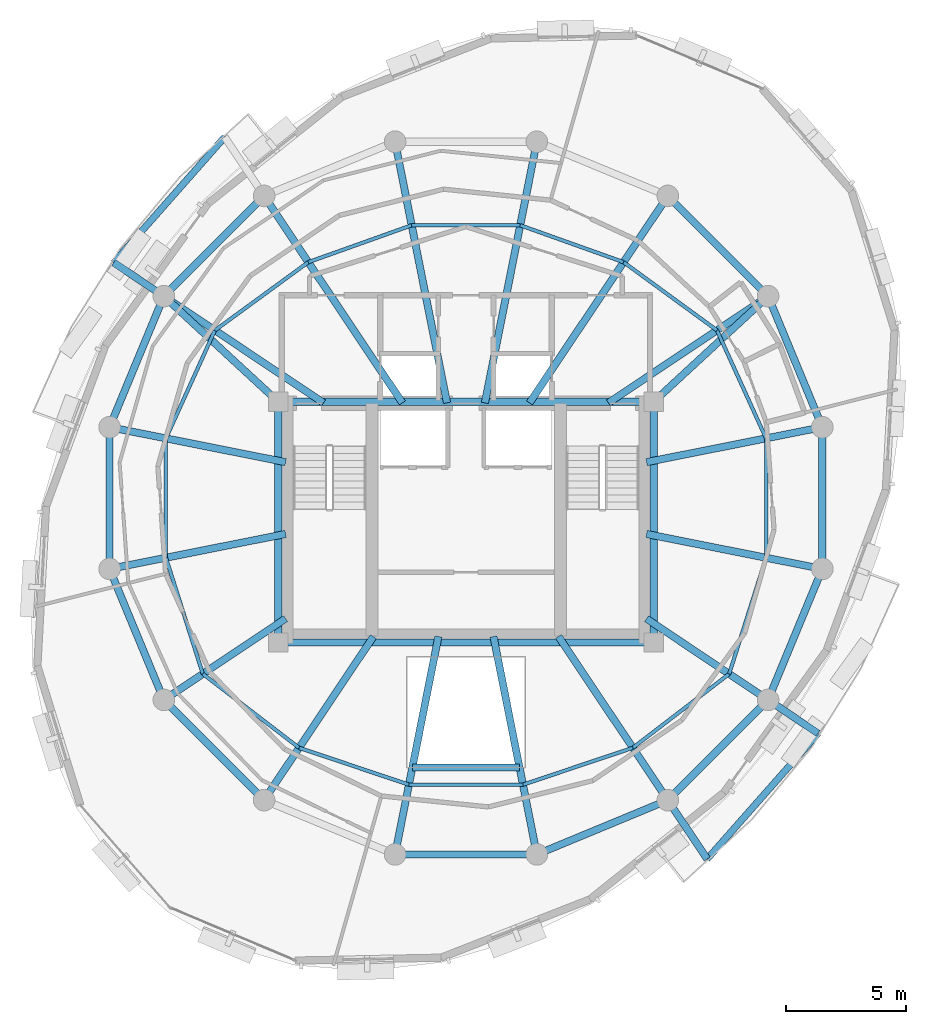
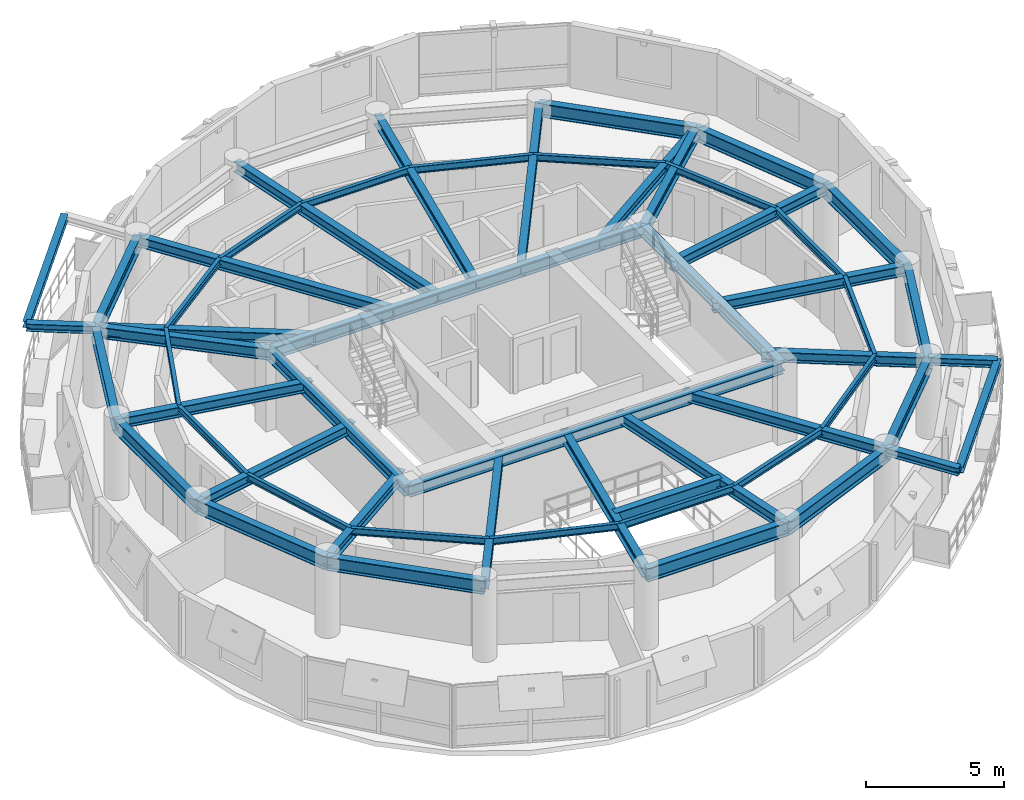
# One storey, part 3 of 11: 56 beams.
"""IFC4 building model written with IfcOpenShell, lengths in metres."""

from ifc_helpers import new_model, si_unit, direction, frame, origin, origin_2d, place, context, subcontext, project, spatial, i_section, extrude, material, material_profile, profile_set, type_object, element, save


model = new_model("IFC4")

# Units and contexts
model_context = context("Model", 3, precision=1e-05, world=origin(), true_north=direction((0.0, 1.0)))
body_context = subcontext(model_context, "Body", "Model", "MODEL_VIEW")
ifc_project = project(units=[si_unit("LENGTHUNIT", "METRE"), si_unit("AREAUNIT", "SQUARE_METRE"), si_unit("VOLUMEUNIT", "CUBIC_METRE"), si_unit("PLANEANGLEUNIT", "RADIAN"), si_unit("MASSUNIT", "GRAM", prefix="KILO"), si_unit("THERMODYNAMICTEMPERATUREUNIT", "KELVIN"), si_unit("POWERUNIT", "WATT")], contexts=[model_context])

# Site, building, storey
site_placement = place(None, origin())
site = spatial("IfcSite", under=ifc_project, at=site_placement, CompositionType="ELEMENT")
building_placement = place(site_placement, origin())
building = spatial("IfcBuilding", under=site, at=building_placement, Name="Ocrelia Relay Tower", CompositionType="ELEMENT")
storey_placement = place(building_placement, frame((0.0, 0.0, 255.60009765625)))
storey = spatial("IfcBuildingStorey", under=building, at=storey_placement, Name="L63", CompositionType="ELEMENT", Elevation=255.60009765625)

# Beams
ifc_material = material(Name="Steel S355", Category="steel")
ifc_material_profile_1 = material_profile(ifc_material, i_section(OverallWidth=0.280029296875, OverallDepth=0.27001953125, WebThickness=0.008056640625, FlangeThickness=0.012939453125, FilletRadius=0.02392578125, at=origin_2d()), Name="HEA 280")
ifc_profile_set_1 = profile_set([ifc_material_profile_1], Name="Steel S355")
beam_type_1 = type_object("IfcBeamType", Name="BM-HEA280", PredefinedType="BEAM", material=ifc_profile_set_1)
for number, where, z_axis, x_axis, name in (
    (1, (23.974853515625, 41.003662109375, 3.244873046875), (-0.661765322206, -0.749711049889, 0.0), (0.749711049889, -0.661765322206, 0.0), "L64 Balcony Edge Trimmer Beam B1"),
    (2, (44.025146484375, 10.996337890625, 3.244873046875), (0.661765322206, 0.749711049889, 0.0), (-0.749711049889, 0.661765322206, 0.0), "L64 Balcony Edge Trimmer Beam B2"),
):
    element("IfcBeam", number, at=place(storey_placement, frame(where, z_axis=z_axis, x_axis=x_axis)), inside=storey, type_object=beam_type_1, Name=name, PredefinedType="BEAM", context=body_context, shape_type="SweptSolid", body=[
        extrude(i_section(OverallWidth=0.280029296875, OverallDepth=0.27001953125, WebThickness=0.008056640625, FlangeThickness=0.012939453125, FilletRadius=0.02392578125, at=origin_2d()), origin(), (0.0, 0.0, 1.0), 6.9677734375),
    ])
ifc_material_profile_2 = material_profile(ifc_material, i_section(OverallWidth=0.300048828125, OverallDepth=0.330078125, WebThickness=0.009521484375, FlangeThickness=0.0166015625, FilletRadius=0.027099609375, at=origin_2d()), Name="HEA 340")
ifc_profile_set_2 = profile_set([ifc_material_profile_2], Name="Steel S355")
beam_type_2 = type_object("IfcBeamType", Name="BM-HEA340", PredefinedType="BEAM", material=ifc_profile_set_2)
beam_1_placement = place(storey_placement, frame((21.44482421875, 34.38916015625, 3.21484375), z_axis=(-0.831449547594, 0.555600260804, 0.0), x_axis=(-0.555600260804, -0.831449547594, 0.0)))
element("IfcBeam", 3, at=beam_1_placement, inside=storey, type_object=beam_type_2, Name="L64 Balcony Cantilever Beam B1-2", PredefinedType="BEAM", context=body_context, shape_type="SweptSolid", body=[
    extrude(i_section(OverallWidth=0.300048828125, OverallDepth=0.330078125, WebThickness=0.009521484375, FlangeThickness=0.0166015625, FilletRadius=0.027099609375, at=origin_2d()), origin(), (0.0, 0.0, 1.0), 2.5029296875),
])
beam_2_placement = place(storey_placement, frame((42.38916015625, 13.44482421875, 3.21484375), z_axis=(0.555560858205, -0.831475876277, 0.0), x_axis=(0.831475876277, 0.555560858205, 0.0)))
element("IfcBeam", 4, at=beam_2_placement, inside=storey, type_object=beam_type_2, Name="L64 Balcony Cantilever Beam B2-1", PredefinedType="BEAM", context=body_context, shape_type="SweptSolid", body=[
    extrude(i_section(OverallWidth=0.300048828125, OverallDepth=0.330078125, WebThickness=0.009521484375, FlangeThickness=0.0166015625, FilletRadius=0.027099609375, at=origin_2d()), origin(), (0.0, 0.0, 1.0), 2.94482421875),
])
beam_3_placement = place(storey_placement, frame((46.55517578125, 17.61083984375, 3.21484375), z_axis=(0.831449547594, -0.555600260804, 0.0), x_axis=(0.555600260804, 0.831449547594, 0.0)))
element("IfcBeam", 5, at=beam_3_placement, inside=storey, type_object=beam_type_2, Name="L64 Balcony Cantilever Beam B2-2", PredefinedType="BEAM", context=body_context, shape_type="SweptSolid", body=[
    extrude(i_section(OverallWidth=0.300048828125, OverallDepth=0.330078125, WebThickness=0.009521484375, FlangeThickness=0.0166015625, FilletRadius=0.027099609375, at=origin_2d()), origin(), (0.0, 0.0, 1.0), 2.5029296875),
])
ifc_material_profile_3 = material_profile(ifc_material, i_section(OverallWidth=0.300048828125, OverallDepth=0.449951171875, WebThickness=0.013916015625, FlangeThickness=0.02587890625, FilletRadius=0.027099609375, at=origin_2d()), Name="HEB 450")
ifc_profile_set_3 = profile_set([ifc_material_profile_3], Name="Steel S355")
beam_type_3 = type_object("IfcBeamType", Name="BM-HEB450", PredefinedType="BEAM", material=ifc_profile_set_3)
beam_4_placement = place(storey_placement, frame((48.809814453125, 28.94580078125, 3.15478515625), z_axis=(-0.980789400571, -0.195069607393, 0.0), x_axis=(0.195069607393, -0.980789400571, 0.0)))
element("IfcBeam", 6, at=beam_4_placement, inside=storey, type_object=beam_type_3, Name="L63 Radial Floor Girder R01", PredefinedType="BEAM", context=body_context, shape_type="SweptSolid", body=[
    extrude(i_section(OverallWidth=0.300048828125, OverallDepth=0.449951171875, WebThickness=0.013916015625, FlangeThickness=0.02587890625, FilletRadius=0.027099609375, at=origin_2d()), origin(), (0.0, 0.0, 1.0), 7.447998046875),
])
beam_5_placement = place(storey_placement, frame((46.55517578125, 34.38916015625, 3.15478515625), z_axis=(-0.83146627118, -0.555575233331, 0.0), x_axis=(0.555575233331, -0.83146627118, 0.0)))
element("IfcBeam", 7, at=beam_5_placement, inside=storey, type_object=beam_type_3, Name="L63 Radial Floor Girder R02", PredefinedType="BEAM", context=body_context, shape_type="SweptSolid", body=[
    extrude(i_section(OverallWidth=0.300048828125, OverallDepth=0.449951171875, WebThickness=0.013916015625, FlangeThickness=0.02587890625, FilletRadius=0.027099609375, at=origin_2d()), origin(), (0.0, 0.0, 1.0), 7.98095703125),
])
beam_6_placement = place(storey_placement, frame((42.38916015625, 38.55517578125, 3.15478515625), z_axis=(-0.555582296999, -0.831461551283, 0.0), x_axis=(0.831461551283, -0.555582296999, 0.0)))
element("IfcBeam", 8, at=beam_6_placement, inside=storey, type_object=beam_type_3, Name="L63 Radial Floor Girder R03", PredefinedType="BEAM", context=body_context, shape_type="SweptSolid", body=[
    extrude(i_section(OverallWidth=0.300048828125, OverallDepth=0.449951171875, WebThickness=0.013916015625, FlangeThickness=0.02587890625, FilletRadius=0.027099609375, at=origin_2d()), origin(), (0.0, 0.0, 1.0), 10.34326171875),
])
for number, where, z_axis, x_axis, name in (
    (9, (36.94580078125, 40.809814453125, 3.15478515625), (-0.195093658495, -0.98078461673, 0.0), (0.98078461673, -0.195093658495, 0.0), "L63 Radial Floor Girder R04"),
    (10, (31.05419921875, 40.809814453125, 3.15478515625), (0.195093658495, -0.98078461673, 0.0), (0.98078461673, 0.195093658495, 0.0), "L63 Radial Floor Girder R05"),
):
    element("IfcBeam", number, at=place(storey_placement, frame(where, z_axis=z_axis, x_axis=x_axis)), inside=storey, type_object=beam_type_3, Name=name, PredefinedType="BEAM", context=body_context, shape_type="SweptSolid", body=[
        extrude(i_section(OverallWidth=0.300048828125, OverallDepth=0.449951171875, WebThickness=0.013916015625, FlangeThickness=0.02587890625, FilletRadius=0.027099609375, at=origin_2d()), origin(), (0.0, 0.0, 1.0), 11.0673828125),
    ])
beam_7_placement = place(storey_placement, frame((25.61083984375, 38.55517578125, 3.15478515625), z_axis=(0.555582296999, -0.831461551283, 0.0), x_axis=(0.831461551283, 0.555582296999, 0.0)))
element("IfcBeam", 11, at=beam_7_placement, inside=storey, type_object=beam_type_3, Name="L63 Radial Floor Girder R06", PredefinedType="BEAM", context=body_context, shape_type="SweptSolid", body=[
    extrude(i_section(OverallWidth=0.300048828125, OverallDepth=0.449951171875, WebThickness=0.013916015625, FlangeThickness=0.02587890625, FilletRadius=0.027099609375, at=origin_2d()), origin(), (0.0, 0.0, 1.0), 10.34326171875),
])
beam_8_placement = place(storey_placement, frame((21.44482421875, 34.38916015625, 3.15478515625), z_axis=(0.83146627118, -0.555575233331, 0.0), x_axis=(0.555575233331, 0.83146627118, 0.0)))
element("IfcBeam", 12, at=beam_8_placement, inside=storey, type_object=beam_type_3, Name="L63 Radial Floor Girder R07", PredefinedType="BEAM", context=body_context, shape_type="SweptSolid", body=[
    extrude(i_section(OverallWidth=0.300048828125, OverallDepth=0.449951171875, WebThickness=0.013916015625, FlangeThickness=0.02587890625, FilletRadius=0.027099609375, at=origin_2d()), origin(), (0.0, 0.0, 1.0), 7.98095703125),
])
for number, where, z_axis, x_axis, name in (
    (13, (19.190185546875, 28.94580078125, 3.15478515625), (0.980789122594, -0.195071005024, 0.0), (0.195071005024, 0.980789122594, 0.0), "L63 Radial Floor Girder R08"),
    (14, (19.190185546875, 23.05419921875, 3.15478515625), (0.980789122594, 0.195071005024, 0.0), (-0.195071005024, 0.980789122594, 0.0), "L63 Radial Floor Girder R09"),
):
    element("IfcBeam", number, at=place(storey_placement, frame(where, z_axis=z_axis, x_axis=x_axis)), inside=storey, type_object=beam_type_3, Name=name, PredefinedType="BEAM", context=body_context, shape_type="SweptSolid", body=[
        extrude(i_section(OverallWidth=0.300048828125, OverallDepth=0.449951171875, WebThickness=0.013916015625, FlangeThickness=0.02587890625, FilletRadius=0.027099609375, at=origin_2d()), origin(), (0.0, 0.0, 1.0), 7.4580078125),
    ])
beam_9_placement = place(storey_placement, frame((21.44482421875, 17.61083984375, 3.15478515625), z_axis=(0.831463505153, 0.555579372906, 0.0), x_axis=(-0.555579372906, 0.831463505153, 0.0)))
element("IfcBeam", 15, at=beam_9_placement, inside=storey, type_object=beam_type_3, Name="L63 Radial Floor Girder R10", PredefinedType="BEAM", context=body_context, shape_type="SweptSolid", body=[
    extrude(i_section(OverallWidth=0.300048828125, OverallDepth=0.449951171875, WebThickness=0.013916015625, FlangeThickness=0.02587890625, FilletRadius=0.027099609375, at=origin_2d()), origin(), (0.0, 0.0, 1.0), 6.085693359375),
])
beam_10_placement = place(storey_placement, frame((25.61083984375, 13.44482421875, 3.15478515625), z_axis=(0.555560991962, 0.831475786906, 0.0), x_axis=(-0.831475786906, 0.555560991962, 0.0)))
element("IfcBeam", 16, at=beam_10_placement, inside=storey, type_object=beam_type_3, Name="L63 Radial Floor Girder R11", PredefinedType="BEAM", context=body_context, shape_type="SweptSolid", body=[
    extrude(i_section(OverallWidth=0.300048828125, OverallDepth=0.449951171875, WebThickness=0.013916015625, FlangeThickness=0.02587890625, FilletRadius=0.027099609375, at=origin_2d()), origin(), (0.0, 0.0, 1.0), 8.178466796875),
])
for number, where, z_axis, x_axis, name in (
    (17, (31.05419921875, 11.190185546875, 3.15478515625), (0.195078600472, 0.98078761189, 0.0), (-0.98078761189, 0.195078600472, 0.0), "L63 Radial Floor Girder R12"),
    (18, (36.94580078125, 11.190185546875, 3.15478515625), (-0.195078600472, 0.98078761189, 0.0), (-0.98078761189, -0.195078600472, 0.0), "L63 Radial Floor Girder R13"),
):
    element("IfcBeam", number, at=place(storey_placement, frame(where, z_axis=z_axis, x_axis=x_axis)), inside=storey, type_object=beam_type_3, Name=name, PredefinedType="BEAM", context=body_context, shape_type="SweptSolid", body=[
        extrude(i_section(OverallWidth=0.300048828125, OverallDepth=0.449951171875, WebThickness=0.013916015625, FlangeThickness=0.02587890625, FilletRadius=0.027099609375, at=origin_2d()), origin(), (0.0, 0.0, 1.0), 9.232421875),
    ])
beam_11_placement = place(storey_placement, frame((42.38916015625, 13.44482421875, 3.15478515625), z_axis=(-0.555560991962, 0.831475786906, 0.0), x_axis=(-0.831475786906, -0.555560991962, 0.0)))
element("IfcBeam", 19, at=beam_11_placement, inside=storey, type_object=beam_type_3, Name="L63 Radial Floor Girder R14", PredefinedType="BEAM", context=body_context, shape_type="SweptSolid", body=[
    extrude(i_section(OverallWidth=0.300048828125, OverallDepth=0.449951171875, WebThickness=0.013916015625, FlangeThickness=0.02587890625, FilletRadius=0.027099609375, at=origin_2d()), origin(), (0.0, 0.0, 1.0), 8.178466796875),
])
beam_12_placement = place(storey_placement, frame((46.55517578125, 17.61083984375, 3.15478515625), z_axis=(-0.831468559595, 0.555571808504, 0.0), x_axis=(-0.555571808504, -0.831468559595, 0.0)))
element("IfcBeam", 20, at=beam_12_placement, inside=storey, type_object=beam_type_3, Name="L63 Radial Floor Girder R15", PredefinedType="BEAM", context=body_context, shape_type="SweptSolid", body=[
    extrude(i_section(OverallWidth=0.300048828125, OverallDepth=0.449951171875, WebThickness=0.013916015625, FlangeThickness=0.02587890625, FilletRadius=0.027099609375, at=origin_2d()), origin(), (0.0, 0.0, 1.0), 6.073974609375),
])
beam_13_placement = place(storey_placement, frame((48.809814453125, 23.05419921875, 3.15478515625), z_axis=(-0.980789400571, 0.195069607393, 0.0), x_axis=(-0.195069607393, -0.980789400571, 0.0)))
element("IfcBeam", 21, at=beam_13_placement, inside=storey, type_object=beam_type_3, Name="L63 Radial Floor Girder R16", PredefinedType="BEAM", context=body_context, shape_type="SweptSolid", body=[
    extrude(i_section(OverallWidth=0.300048828125, OverallDepth=0.449951171875, WebThickness=0.013916015625, FlangeThickness=0.02587890625, FilletRadius=0.027099609375, at=origin_2d()), origin(), (0.0, 0.0, 1.0), 7.447998046875),
])
ifc_material_profile_4 = material_profile(ifc_material, i_section(OverallWidth=0.300048828125, OverallDepth=0.5, WebThickness=0.014404296875, FlangeThickness=0.028076171875, FilletRadius=0.027099609375, at=origin_2d()), Name="HEB 500")
ifc_profile_set_4 = profile_set([ifc_material_profile_4], Name="Steel S355")
beam_type_4 = type_object("IfcBeamType", Name="BM-HEB500", PredefinedType="BEAM", material=ifc_profile_set_4)
for number, where, z_axis, x_axis, name in (
    (22, (26.199951171875, 20.0, 3.1298828125), (1.0, 0.0, 0.0), (0.0, 1.0, 0.0), "L63 Core Pilaster Tie Beam S"),
    (23, (26.199951171875, 30.0, 3.1298828125), (1.0, 0.0, 0.0), (0.0, 1.0, 0.0), "L63 Core Pilaster Tie Beam N"),
):
    element("IfcBeam", number, at=place(storey_placement, frame(where, z_axis=z_axis, x_axis=x_axis)), inside=storey, type_object=beam_type_4, Name=name, PredefinedType="BEAM", context=body_context, shape_type="SweptSolid", body=[
        extrude(i_section(OverallWidth=0.300048828125, OverallDepth=0.5, WebThickness=0.014404296875, FlangeThickness=0.028076171875, FilletRadius=0.027099609375, at=origin_2d()), origin(), (0.0, 0.0, 1.0), 15.60009765625),
    ])
for number, where, z_axis, x_axis, name in (
    (24, (26.199951171875, 20.0, 3.1298828125), (0.0, 1.0, 0.0), (-1.0, 0.0, 0.0), "L63 Core Pilaster Tie Beam W"),
    (25, (41.800048828125, 20.0, 3.1298828125), (0.0, 1.0, 0.0), (-1.0, 0.0, 0.0), "L63 Core Pilaster Tie Beam E"),
):
    element("IfcBeam", number, at=place(storey_placement, frame(where, z_axis=z_axis, x_axis=x_axis)), inside=storey, type_object=beam_type_4, Name=name, PredefinedType="BEAM", context=body_context, shape_type="SweptSolid", body=[
        extrude(i_section(OverallWidth=0.300048828125, OverallDepth=0.5, WebThickness=0.014404296875, FlangeThickness=0.028076171875, FilletRadius=0.027099609375, at=origin_2d()), origin(), (0.0, 0.0, 1.0), 10.0),
    ])
for number, where, z_axis, x_axis, name in (
    (26, (46.55517578125, 34.38916015625, 3.1298828125), (-0.734817908666, -0.678264433023, 0.0), (0.678264433023, -0.734817908666, 0.0), "L63 Core Pilaster Frame Tie Beam PT02"),
    (27, (21.44482421875, 34.38916015625, 3.1298828125), (0.734817908666, -0.678264433023, 0.0), (0.678264433023, 0.734817908666, 0.0), "L63 Core Pilaster Frame Tie Beam PT07"),
):
    element("IfcBeam", number, at=place(storey_placement, frame(where, z_axis=z_axis, x_axis=x_axis)), inside=storey, type_object=beam_type_4, Name=name, PredefinedType="BEAM", context=body_context, shape_type="SweptSolid", body=[
        extrude(i_section(OverallWidth=0.300048828125, OverallDepth=0.5, WebThickness=0.014404296875, FlangeThickness=0.028076171875, FilletRadius=0.027099609375, at=origin_2d()), origin(), (0.0, 0.0, 1.0), 6.47119140625),
    ])
ifc_material_profile_5 = material_profile(ifc_material, i_section(OverallWidth=0.300048828125, OverallDepth=0.550048828125, WebThickness=0.014892578125, FlangeThickness=0.029052734375, FilletRadius=0.027099609375, at=origin_2d()), Name="HEB 550")
ifc_profile_set_5 = profile_set([ifc_material_profile_5], Name="Steel S355")
beam_type_5 = type_object("IfcBeamType", Name="BM-HEB550", PredefinedType="BEAM", material=ifc_profile_set_5)
beam_14_placement = place(storey_placement, frame((31.772216796875, 14.800048828125, 3.10498046875), z_axis=(1.0, 0.0, 0.0), x_axis=(0.0, 1.0, 0.0)))
element("IfcBeam", 28, at=beam_14_placement, inside=storey, type_object=beam_type_5, Name="L63 Atrium South Trimmer Beam", PredefinedType="BEAM", context=body_context, shape_type="SweptSolid", body=[
    extrude(i_section(OverallWidth=0.300048828125, OverallDepth=0.550048828125, WebThickness=0.014892578125, FlangeThickness=0.029052734375, FilletRadius=0.027099609375, at=origin_2d()), origin(), (0.0, 0.0, 1.0), 4.45556640625),
])
ifc_material_profile_6 = material_profile(ifc_material, i_section(OverallWidth=0.300048828125, OverallDepth=0.60009765625, WebThickness=0.015380859375, FlangeThickness=0.030029296875, FilletRadius=0.027099609375, at=origin_2d()), Name="HEB 600")
ifc_profile_set_6 = profile_set([ifc_material_profile_6], Name="Steel S355")
beam_type_6 = type_object("IfcBeamType", Name="BM-HEB600", PredefinedType="BEAM", material=ifc_profile_set_6)
beam_15_placement = place(storey_placement, frame((48.809814453125, 28.94580078125, 3.079833984375), z_axis=(-0.382672624084, 0.923884009374, 0.0), x_axis=(-0.923884009374, -0.382672624084, 0.0)))
element("IfcBeam", 29, at=beam_15_placement, inside=storey, type_object=beam_type_6, Name="L63 Perimeter Spandrel Beam S01", PredefinedType="BEAM", context=body_context, shape_type="SweptSolid", body=[
    extrude(i_section(OverallWidth=0.300048828125, OverallDepth=0.60009765625, WebThickness=0.015380859375, FlangeThickness=0.030029296875, FilletRadius=0.027099609375, at=origin_2d()), origin(), (0.0, 0.0, 1.0), 5.891845703125),
])
for number, where, z_axis, x_axis, name in (
    (30, (46.55517578125, 34.38916015625, 3.079833984375), (-0.707106781187, 0.707106781187, 0.0), (-0.707106781187, -0.707106781187, 0.0), "L63 Perimeter Spandrel Beam S02"),
    (31, (25.61083984375, 38.55517578125, 3.079833984375), (-0.707106781187, -0.707106781187, 0.0), (0.707106781187, -0.707106781187, 0.0), "L63 Perimeter Spandrel Beam S06"),
):
    element("IfcBeam", number, at=place(storey_placement, frame(where, z_axis=z_axis, x_axis=x_axis)), inside=storey, type_object=beam_type_6, Name=name, PredefinedType="BEAM", context=body_context, shape_type="SweptSolid", body=[
        extrude(i_section(OverallWidth=0.300048828125, OverallDepth=0.60009765625, WebThickness=0.015380859375, FlangeThickness=0.030029296875, FilletRadius=0.027099609375, at=origin_2d()), origin(), (0.0, 0.0, 1.0), 5.8916015625),
    ])
beam_16_placement = place(storey_placement, frame((21.44482421875, 34.38916015625, 3.079833984375), z_axis=(-0.382672624084, -0.923884009374, 0.0), x_axis=(0.923884009374, -0.382672624084, 0.0)))
element("IfcBeam", 32, at=beam_16_placement, inside=storey, type_object=beam_type_6, Name="L63 Perimeter Spandrel Beam S07", PredefinedType="BEAM", context=body_context, shape_type="SweptSolid", body=[
    extrude(i_section(OverallWidth=0.300048828125, OverallDepth=0.60009765625, WebThickness=0.015380859375, FlangeThickness=0.030029296875, FilletRadius=0.027099609375, at=origin_2d()), origin(), (0.0, 0.0, 1.0), 5.891845703125),
])
beam_17_placement = place(storey_placement, frame((19.190185546875, 28.94580078125, 3.079833984375), z_axis=(0.0, -1.0, 0.0), x_axis=(1.0, 0.0, 0.0)))
element("IfcBeam", 33, at=beam_17_placement, inside=storey, type_object=beam_type_6, Name="L63 Perimeter Spandrel Beam S08", PredefinedType="BEAM", context=body_context, shape_type="SweptSolid", body=[
    extrude(i_section(OverallWidth=0.300048828125, OverallDepth=0.60009765625, WebThickness=0.015380859375, FlangeThickness=0.030029296875, FilletRadius=0.027099609375, at=origin_2d()), origin(), (0.0, 0.0, 1.0), 5.8916015625),
])
beam_18_placement = place(storey_placement, frame((19.190185546875, 23.05419921875, 3.079833984375), z_axis=(0.382672624084, -0.923884009374, 0.0), x_axis=(0.923884009374, 0.382672624084, 0.0)))
element("IfcBeam", 34, at=beam_18_placement, inside=storey, type_object=beam_type_6, Name="L63 Perimeter Spandrel Beam S09", PredefinedType="BEAM", context=body_context, shape_type="SweptSolid", body=[
    extrude(i_section(OverallWidth=0.300048828125, OverallDepth=0.60009765625, WebThickness=0.015380859375, FlangeThickness=0.030029296875, FilletRadius=0.027099609375, at=origin_2d()), origin(), (0.0, 0.0, 1.0), 5.891845703125),
])
for number, where, z_axis, x_axis, name in (
    (35, (21.44482421875, 17.61083984375, 3.079833984375), (0.707106781187, -0.707106781187, 0.0), (0.707106781187, 0.707106781187, 0.0), "L63 Perimeter Spandrel Beam S10"),
    (36, (31.05419921875, 11.190185546875, 3.079833984375), (1.0, 0.0, 0.0), (0.0, 1.0, 0.0), "L63 Perimeter Spandrel Beam S12"),
):
    element("IfcBeam", number, at=place(storey_placement, frame(where, z_axis=z_axis, x_axis=x_axis)), inside=storey, type_object=beam_type_6, Name=name, PredefinedType="BEAM", context=body_context, shape_type="SweptSolid", body=[
        extrude(i_section(OverallWidth=0.300048828125, OverallDepth=0.60009765625, WebThickness=0.015380859375, FlangeThickness=0.030029296875, FilletRadius=0.027099609375, at=origin_2d()), origin(), (0.0, 0.0, 1.0), 5.8916015625),
    ])
beam_19_placement = place(storey_placement, frame((36.94580078125, 11.190185546875, 3.079833984375), z_axis=(0.923884009374, 0.382672624084, 0.0), x_axis=(-0.382672624084, 0.923884009374, 0.0)))
element("IfcBeam", 37, at=beam_19_placement, inside=storey, type_object=beam_type_6, Name="L63 Perimeter Spandrel Beam S13", PredefinedType="BEAM", context=body_context, shape_type="SweptSolid", body=[
    extrude(i_section(OverallWidth=0.300048828125, OverallDepth=0.60009765625, WebThickness=0.015380859375, FlangeThickness=0.030029296875, FilletRadius=0.027099609375, at=origin_2d()), origin(), (0.0, 0.0, 1.0), 5.891845703125),
])
beam_20_placement = place(storey_placement, frame((42.38916015625, 13.44482421875, 3.079833984375), z_axis=(0.707106781187, 0.707106781187, 0.0), x_axis=(-0.707106781187, 0.707106781187, 0.0)))
element("IfcBeam", 38, at=beam_20_placement, inside=storey, type_object=beam_type_6, Name="L63 Perimeter Spandrel Beam S14", PredefinedType="BEAM", context=body_context, shape_type="SweptSolid", body=[
    extrude(i_section(OverallWidth=0.300048828125, OverallDepth=0.60009765625, WebThickness=0.015380859375, FlangeThickness=0.030029296875, FilletRadius=0.027099609375, at=origin_2d()), origin(), (0.0, 0.0, 1.0), 5.8916015625),
])
beam_21_placement = place(storey_placement, frame((46.55517578125, 17.61083984375, 3.079833984375), z_axis=(0.382672624084, 0.923884009374, 0.0), x_axis=(-0.923884009374, 0.382672624084, 0.0)))
element("IfcBeam", 39, at=beam_21_placement, inside=storey, type_object=beam_type_6, Name="L63 Perimeter Spandrel Beam S15", PredefinedType="BEAM", context=body_context, shape_type="SweptSolid", body=[
    extrude(i_section(OverallWidth=0.300048828125, OverallDepth=0.60009765625, WebThickness=0.015380859375, FlangeThickness=0.030029296875, FilletRadius=0.027099609375, at=origin_2d()), origin(), (0.0, 0.0, 1.0), 5.891845703125),
])
beam_22_placement = place(storey_placement, frame((48.809814453125, 23.05419921875, 3.079833984375), z_axis=(0.0, 1.0, 0.0), x_axis=(-1.0, 0.0, 0.0)))
element("IfcBeam", 40, at=beam_22_placement, inside=storey, type_object=beam_type_6, Name="L63 Perimeter Spandrel Beam S16", PredefinedType="BEAM", context=body_context, shape_type="SweptSolid", body=[
    extrude(i_section(OverallWidth=0.300048828125, OverallDepth=0.60009765625, WebThickness=0.015380859375, FlangeThickness=0.030029296875, FilletRadius=0.027099609375, at=origin_2d()), origin(), (0.0, 0.0, 1.0), 5.8916015625),
])
ifc_material_profile_7 = material_profile(ifc_material, i_section(OverallWidth=0.14990234375, OverallDepth=0.300048828125, WebThickness=0.007080078125, FlangeThickness=0.0107421875, FilletRadius=0.014892578125, at=origin_2d()), Name="IPE 300")
ifc_profile_set_7 = profile_set([ifc_material_profile_7], Name="Steel S355")
beam_type_7 = type_object("IfcBeamType", Name="BM-IPE300", PredefinedType="JOIST", material=ifc_profile_set_7)
beam_23_placement = place(storey_placement, frame((46.472412109375, 28.48095703125, 3.22998046875), z_axis=(-0.413836514443, 0.91035121756, 0.0), x_axis=(-0.91035121756, -0.413836514443, 0.0)))
element("IfcBeam", 41, at=beam_23_placement, inside=storey, type_object=beam_type_7, Name="L63 Secondary Floor Joist J01", PredefinedType="JOIST", context=body_context, shape_type="SweptSolid", body=[
    extrude(i_section(OverallWidth=0.14990234375, OverallDepth=0.300048828125, WebThickness=0.007080078125, FlangeThickness=0.0107421875, FilletRadius=0.014892578125, at=origin_2d()), origin(), (0.0, 0.0, 1.0), 4.931396484375),
])
beam_24_placement = place(storey_placement, frame((44.431640625, 32.97021484375, 3.22998046875), z_axis=(-0.80774844416, 0.58952731146, 0.0), x_axis=(-0.58952731146, -0.80774844416, 0.0)))
element("IfcBeam", 42, at=beam_24_placement, inside=storey, type_object=beam_type_7, Name="L63 Secondary Floor Joist J02", PredefinedType="JOIST", context=body_context, shape_type="SweptSolid", body=[
    extrude(i_section(OverallWidth=0.14990234375, OverallDepth=0.300048828125, WebThickness=0.007080078125, FlangeThickness=0.0107421875, FilletRadius=0.014892578125, at=origin_2d()), origin(), (0.0, 0.0, 1.0), 4.80517578125),
])
beam_25_placement = place(storey_placement, frame((40.55029296875, 35.802978515625, 3.22998046875), z_axis=(-0.94180245035, 0.336166840298, 0.0), x_axis=(-0.336166840298, -0.94180245035, 0.0)))
element("IfcBeam", 43, at=beam_25_placement, inside=storey, type_object=beam_type_7, Name="L63 Secondary Floor Joist J03", PredefinedType="JOIST", context=body_context, shape_type="SweptSolid", body=[
    extrude(i_section(OverallWidth=0.14990234375, OverallDepth=0.300048828125, WebThickness=0.007080078125, FlangeThickness=0.0107421875, FilletRadius=0.014892578125, at=origin_2d()), origin(), (0.0, 0.0, 1.0), 4.560791015625),
])
beam_26_placement = place(storey_placement, frame((36.2548828125, 37.336181640625, 3.22998046875), z_axis=(-1.0, 0.0, 0.0), x_axis=(0.0, -1.0, 0.0)))
element("IfcBeam", 44, at=beam_26_placement, inside=storey, type_object=beam_type_7, Name="L63 Secondary Floor Joist J04", PredefinedType="JOIST", context=body_context, shape_type="SweptSolid", body=[
    extrude(i_section(OverallWidth=0.14990234375, OverallDepth=0.300048828125, WebThickness=0.007080078125, FlangeThickness=0.0107421875, FilletRadius=0.014892578125, at=origin_2d()), origin(), (0.0, 0.0, 1.0), 4.509765625),
])
beam_27_placement = place(storey_placement, frame((31.7451171875, 37.336181640625, 3.22998046875), z_axis=(-0.94180245035, -0.336166840298, 0.0), x_axis=(0.336166840298, -0.94180245035, 0.0)))
element("IfcBeam", 45, at=beam_27_placement, inside=storey, type_object=beam_type_7, Name="L63 Secondary Floor Joist J05", PredefinedType="JOIST", context=body_context, shape_type="SweptSolid", body=[
    extrude(i_section(OverallWidth=0.14990234375, OverallDepth=0.300048828125, WebThickness=0.007080078125, FlangeThickness=0.0107421875, FilletRadius=0.014892578125, at=origin_2d()), origin(), (0.0, 0.0, 1.0), 4.560791015625),
])
beam_28_placement = place(storey_placement, frame((27.44970703125, 35.802978515625, 3.22998046875), z_axis=(-0.80774844416, -0.58952731146, 0.0), x_axis=(0.58952731146, -0.80774844416, 0.0)))
element("IfcBeam", 46, at=beam_28_placement, inside=storey, type_object=beam_type_7, Name="L63 Secondary Floor Joist J06", PredefinedType="JOIST", context=body_context, shape_type="SweptSolid", body=[
    extrude(i_section(OverallWidth=0.14990234375, OverallDepth=0.300048828125, WebThickness=0.007080078125, FlangeThickness=0.0107421875, FilletRadius=0.014892578125, at=origin_2d()), origin(), (0.0, 0.0, 1.0), 4.80517578125),
])
beam_29_placement = place(storey_placement, frame((23.568359375, 32.97021484375, 3.22998046875), z_axis=(-0.413205957462, -0.910637599003, 0.0), x_axis=(0.910637599003, -0.413205957462, 0.0)))
element("IfcBeam", 47, at=beam_29_placement, inside=storey, type_object=beam_type_7, Name="L63 Secondary Floor Joist J07", PredefinedType="JOIST", context=body_context, shape_type="SweptSolid", body=[
    extrude(i_section(OverallWidth=0.14990234375, OverallDepth=0.300048828125, WebThickness=0.007080078125, FlangeThickness=0.0107421875, FilletRadius=0.014892578125, at=origin_2d()), origin(), (0.0, 0.0, 1.0), 4.9306640625),
])
beam_30_placement = place(storey_placement, frame((21.531005859375, 28.480224609375, 3.22998046875), z_axis=(0.0, -1.0, 0.0), x_axis=(1.0, 0.0, 0.0)))
element("IfcBeam", 48, at=beam_30_placement, inside=storey, type_object=beam_type_7, Name="L63 Secondary Floor Joist J08", PredefinedType="JOIST", context=body_context, shape_type="SweptSolid", body=[
    extrude(i_section(OverallWidth=0.14990234375, OverallDepth=0.300048828125, WebThickness=0.007080078125, FlangeThickness=0.0107421875, FilletRadius=0.014892578125, at=origin_2d()), origin(), (0.0, 0.0, 1.0), 4.96044921875),
])
beam_31_placement = place(storey_placement, frame((21.531005859375, 23.519775390625, 3.22998046875), z_axis=(0.302732054046, -0.953075707094, 0.0), x_axis=(0.953075707094, 0.302732054046, 0.0)))
element("IfcBeam", 49, at=beam_31_placement, inside=storey, type_object=beam_type_7, Name="L63 Secondary Floor Joist J09", PredefinedType="JOIST", context=body_context, shape_type="SweptSolid", body=[
    extrude(i_section(OverallWidth=0.14990234375, OverallDepth=0.300048828125, WebThickness=0.007080078125, FlangeThickness=0.0107421875, FilletRadius=0.014892578125, at=origin_2d()), origin(), (0.0, 0.0, 1.0), 5.064453125),
])
beam_32_placement = place(storey_placement, frame((23.064208984375, 18.69287109375, 3.22998046875), z_axis=(0.793147291367, -0.60902986314, 0.0), x_axis=(0.60902986314, 0.793147291367, 0.0)))
element("IfcBeam", 50, at=beam_32_placement, inside=storey, type_object=beam_type_7, Name="L63 Secondary Floor Joist J10", PredefinedType="JOIST", context=body_context, shape_type="SweptSolid", body=[
    extrude(i_section(OverallWidth=0.14990234375, OverallDepth=0.300048828125, WebThickness=0.007080078125, FlangeThickness=0.0107421875, FilletRadius=0.014892578125, at=origin_2d()), origin(), (0.0, 0.0, 1.0), 5.044189453125),
])
beam_33_placement = place(storey_placement, frame((27.06494140625, 15.620849609375, 3.22998046875), z_axis=(0.947976335242, -0.318340804519, 0.0), x_axis=(0.318340804519, 0.947976335242, 0.0)))
element("IfcBeam", 51, at=beam_33_placement, inside=storey, type_object=beam_type_7, Name="L63 Secondary Floor Joist J11", PredefinedType="JOIST", context=body_context, shape_type="SweptSolid", body=[
    extrude(i_section(OverallWidth=0.14990234375, OverallDepth=0.300048828125, WebThickness=0.007080078125, FlangeThickness=0.0107421875, FilletRadius=0.014892578125, at=origin_2d()), origin(), (0.0, 0.0, 1.0), 4.816162109375),
])
beam_34_placement = place(storey_placement, frame((31.630615234375, 14.087646484375, 3.22998046875), z_axis=(1.0, 0.0, 0.0), x_axis=(0.0, 1.0, 0.0)))
element("IfcBeam", 52, at=beam_34_placement, inside=storey, type_object=beam_type_7, Name="L63 Secondary Floor Joist J12", PredefinedType="JOIST", context=body_context, shape_type="SweptSolid", body=[
    extrude(i_section(OverallWidth=0.14990234375, OverallDepth=0.300048828125, WebThickness=0.007080078125, FlangeThickness=0.0107421875, FilletRadius=0.014892578125, at=origin_2d()), origin(), (0.0, 0.0, 1.0), 4.73876953125),
])
beam_35_placement = place(storey_placement, frame((36.369384765625, 14.087646484375, 3.22998046875), z_axis=(0.947976335242, 0.318340804519, 0.0), x_axis=(-0.318340804519, 0.947976335242, 0.0)))
element("IfcBeam", 53, at=beam_35_placement, inside=storey, type_object=beam_type_7, Name="L63 Secondary Floor Joist J13", PredefinedType="JOIST", context=body_context, shape_type="SweptSolid", body=[
    extrude(i_section(OverallWidth=0.14990234375, OverallDepth=0.300048828125, WebThickness=0.007080078125, FlangeThickness=0.0107421875, FilletRadius=0.014892578125, at=origin_2d()), origin(), (0.0, 0.0, 1.0), 4.816162109375),
])
beam_36_placement = place(storey_placement, frame((40.93505859375, 15.620849609375, 3.22998046875), z_axis=(0.793608697717, 0.608428496134, 0.0), x_axis=(-0.608428496134, 0.793608697717, 0.0)))
element("IfcBeam", 54, at=beam_36_placement, inside=storey, type_object=beam_type_7, Name="L63 Secondary Floor Joist J14", PredefinedType="JOIST", context=body_context, shape_type="SweptSolid", body=[
    extrude(i_section(OverallWidth=0.14990234375, OverallDepth=0.300048828125, WebThickness=0.007080078125, FlangeThickness=0.0107421875, FilletRadius=0.014892578125, at=origin_2d()), origin(), (0.0, 0.0, 1.0), 5.04541015625),
])
beam_37_placement = place(storey_placement, frame((44.939208984375, 18.690673828125, 3.22998046875), z_axis=(0.302648624063, 0.953102203519, 0.0), x_axis=(-0.953102203519, 0.302648624063, 0.0)))
element("IfcBeam", 55, at=beam_37_placement, inside=storey, type_object=beam_type_7, Name="L63 Secondary Floor Joist J15", PredefinedType="JOIST", context=body_context, shape_type="SweptSolid", body=[
    extrude(i_section(OverallWidth=0.14990234375, OverallDepth=0.300048828125, WebThickness=0.007080078125, FlangeThickness=0.0107421875, FilletRadius=0.014892578125, at=origin_2d()), origin(), (0.0, 0.0, 1.0), 5.06591796875),
])
beam_38_placement = place(storey_placement, frame((46.472412109375, 23.51904296875, 3.22998046875), z_axis=(0.0, 1.0, 0.0), x_axis=(-1.0, 0.0, 0.0)))
element("IfcBeam", 56, at=beam_38_placement, inside=storey, type_object=beam_type_7, Name="L63 Secondary Floor Joist J16", PredefinedType="JOIST", context=body_context, shape_type="SweptSolid", body=[
    extrude(i_section(OverallWidth=0.14990234375, OverallDepth=0.300048828125, WebThickness=0.007080078125, FlangeThickness=0.0107421875, FilletRadius=0.014892578125, at=origin_2d()), origin(), (0.0, 0.0, 1.0), 4.9619140625),
])

save(model, "model.ifc")
